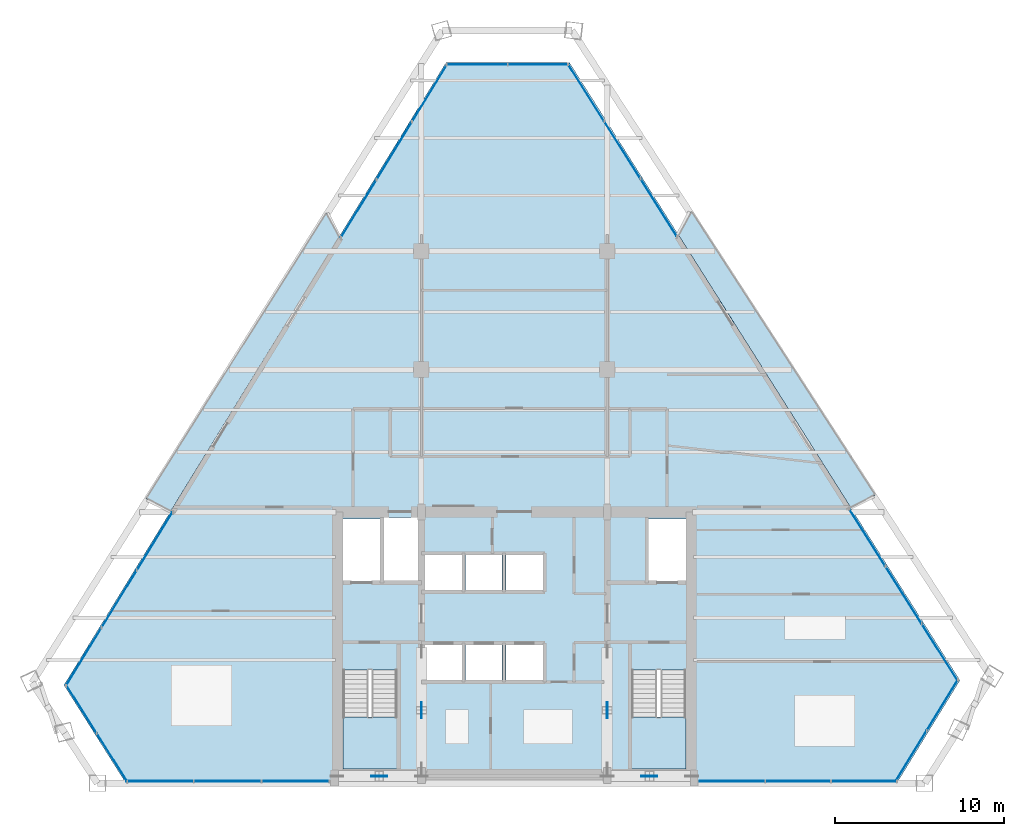
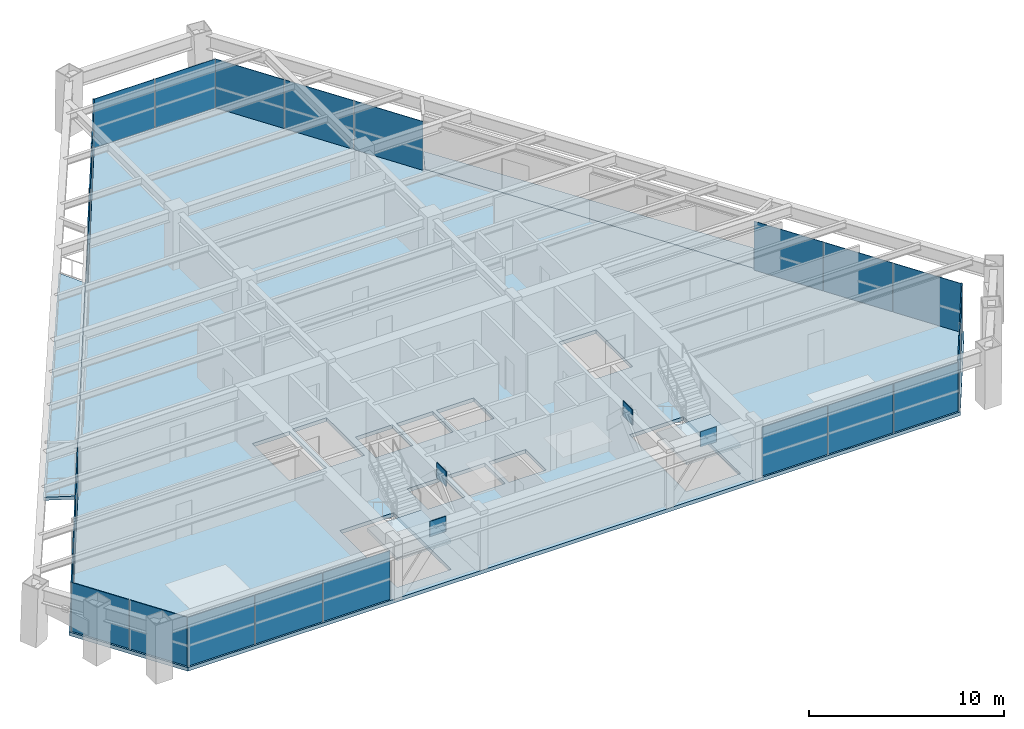
# One storey, part 10 of 15: 28 plates, 5 slabs, 11 elements without a shape of their own.
"""IFC4 building model written with IfcOpenShell, lengths in metres."""

from ifc_helpers import new_model, si_unit, direction, frame, origin, origin_2d, place, context, subcontext, project, spatial, polyline, rectangle, outline, extrude, source, transform, mapped, material, layer, layer_set, type_object, element, aggregate, save


model = new_model("IFC4")

# Units and contexts
model_context = context("Model", 3, precision=1e-05, world=origin(), true_north=direction((0.0, 1.0)))
body_context = subcontext(model_context, "Body", "Model", "MODEL_VIEW")
ifc_project = project(units=[si_unit("LENGTHUNIT", "METRE"), si_unit("AREAUNIT", "SQUARE_METRE"), si_unit("VOLUMEUNIT", "CUBIC_METRE"), si_unit("PLANEANGLEUNIT", "RADIAN"), si_unit("MASSUNIT", "GRAM", prefix="KILO")], contexts=[model_context])

# Site, building, storey
site_placement = place(None, origin())
site = spatial("IfcSite", under=ifc_project, at=site_placement, CompositionType="ELEMENT")
building_placement = place(site_placement, origin())
building = spatial("IfcBuilding", under=site, at=building_placement, Name="Varnakhor Terracotta Tower", CompositionType="ELEMENT")
storey_placement = place(building_placement, frame((0.0, 0.0, 196.89990234375)))
storey = spatial("IfcBuildingStorey", under=building, at=storey_placement, Name="L50", CompositionType="ELEMENT", Elevation=196.89990234375)

# Stair, slab
ifc_material_1 = material(Name="Concrete C40/50", Category="concrete")
stair_type = type_object("IfcStairType", Name="STR-CORE-OFFICE-1500", PredefinedType="HALF_TURN_STAIR", material=ifc_material_1)
stair_1_placement = place(storey_placement, origin())
stair_1 = element("IfcStair", 1, at=stair_1_placement, inside=storey, type_object=stair_type, Name="L50 Core Exit Stair ST-1", PredefinedType="HALF_TURN_STAIR")
ifc_layer_1 = layer(ifc_material_1, 0.179931640625, Name="Concrete C40/50")
ifc_layer_set_1 = layer_set([ifc_layer_1], Name="Concrete C40/50")
slab_type_1 = type_object("IfcSlabType", Name="SLB-LANDING-180", PredefinedType="LANDING", material=ifc_layer_set_1)
slab_1_placement = place(storey_placement, frame((0.0, 0.0, 1.650146484375)))
slab_1 = element("IfcSlab", 2, at=slab_1_placement, type_object=slab_type_1, Name="ST-1 landing 1", PredefinedType="LANDING", context=body_context, shape_type="SweptSolid", body=[
    extrude(outline(polyline([(-10.14990234375, 3.909912109375), (-10.14990234375, 0.85009765625), (-6.949951171875, 0.85009765625), (-6.949951171875, 3.909912109375), (-10.14990234375, 3.909912109375)])), origin(), (0.0, 0.0, 1.0), 0.199951171875),
])
aggregate(stair_1, [slab_1])

stair_2_placement = place(storey_placement, origin())
stair_2 = element("IfcStair", 3, at=stair_2_placement, inside=storey, type_object=stair_type, Name="L50 Core Exit Stair ST-2", PredefinedType="HALF_TURN_STAIR")
slab_2_placement = place(storey_placement, frame((0.0, 0.0, 1.650146484375)))
slab_2 = element("IfcSlab", 4, at=slab_2_placement, type_object=slab_type_1, Name="ST-2 landing 1", PredefinedType="LANDING", context=body_context, shape_type="SweptSolid", body=[
    extrude(outline(polyline([(6.949951171875, 3.909912109375), (6.949951171875, 0.85009765625), (10.14990234375, 0.85009765625), (10.14990234375, 3.909912109375), (6.949951171875, 3.909912109375)])), origin(), (0.0, 0.0, 1.0), 0.199951171875),
])
aggregate(stair_2, [slab_2])

# Slabs
ifc_layer_2 = layer(ifc_material_1, 0.195068359375, Name="Concrete C40/50")
ifc_layer_set_2 = layer_set([ifc_layer_2], Name="Concrete C40/50")
slab_type_2 = type_object("IfcSlabType", Name="SLB-LOGGIA-EXT-195", PredefinedType="FLOOR", material=ifc_layer_set_2)
slab_3_placement = place(storey_placement, frame((0.0, 0.0, -0.19482421875)))
element("IfcSlab", 5, at=slab_3_placement, inside=storey, type_object=slab_type_2, Name="L50 E Recessed Outdoor Loggia Slab", PredefinedType="FLOOR", context=body_context, shape_type="SweptSolid", body=[
    extrude(outline(polyline([(10.468994140625, 33.868896484375), (21.37109375, 17.059814453125), (19.91162109375, 16.336181640625), (9.738525390625, 32.4326171875), (10.468994140625, 33.868896484375)])), origin(), (0.0, 0.0, 1.0), 0.19482421875),
])
slab_4_placement = place(storey_placement, frame((0.0, 0.0, -0.19482421875)))
element("IfcSlab", 6, at=slab_4_placement, inside=storey, type_object=slab_type_2, Name="L50 W Recessed Outdoor Loggia Slab", PredefinedType="FLOOR", context=body_context, shape_type="SweptSolid", body=[
    extrude(outline(polyline([(-21.805419921875, 16.84716796875), (-11.11669921875, 33.7861328125), (-10.3828125, 32.353515625), (-20.33642578125, 16.132568359375), (-21.805419921875, 16.84716796875)])), origin(), (0.0, 0.0, 1.0), 0.19482421875),
])
ifc_layer_3 = layer(ifc_material_1, 0.22998046875, Name="Concrete C40/50")
ifc_layer_set_3 = layer_set([ifc_layer_3], Name="Concrete C40/50")
slab_type_3 = type_object("IfcSlabType", Name="SLB-OFF-230", PredefinedType="FLOOR", material=ifc_layer_set_3)
slab_5_placement = place(storey_placement, frame((0.0, 0.0, -0.22998046875)))
element("IfcSlab", 7, at=slab_5_placement, inside=storey, type_object=slab_type_3, Name="L50 Structural Floor Slab", PredefinedType="FLOOR", context=body_context, shape_type="SweptSolid", body=[
    extrude(outline(polyline([(-26.670654296875, 5.810302734375), (-4.048583984375, 42.67578125), (3.264892578125, 42.67578125), (26.38525390625, 6.093017578125), (22.646240234375, 0.0), (-22.99853515625, 0.0), (-26.670654296875, 5.810302734375)]), holes=[polyline([(-6.949951171875, 0.85009765625), (-6.949951171875, 6.695068359375), (-10.14990234375, 6.695068359375), (-10.14990234375, 0.85009765625), (-6.949951171875, 0.85009765625)]), polyline([(-3.10009765625, 6.10009765625), (-3.10009765625, 8.199951171875), (-5.300048828125, 8.199951171875), (-5.300048828125, 6.10009765625), (-3.10009765625, 6.10009765625)]), polyline([(-0.719970703125, 6.10009765625), (-0.719970703125, 8.199951171875), (-2.8798828125, 8.199951171875), (-2.8798828125, 6.10009765625), (-0.719970703125, 6.10009765625)]), polyline([(-5.300048828125, 11.419921875), (-3.10009765625, 11.419921875), (-3.10009765625, 13.52001953125), (-5.300048828125, 13.52001953125), (-5.300048828125, 11.419921875)]), polyline([(-10.14990234375, 11.8798828125), (-7.949951171875, 11.8798828125), (-7.949951171875, 15.64990234375), (-10.14990234375, 15.64990234375), (-10.14990234375, 11.8798828125)]), polyline([(-5.699951171875, 11.8798828125), (-5.699951171875, 15.75), (-7.72998046875, 15.75), (-7.72998046875, 11.8798828125), (-5.699951171875, 11.8798828125)]), polyline([(6.949951171875, 0.85009765625), (10.14990234375, 0.85009765625), (10.14990234375, 6.695068359375), (6.949951171875, 6.695068359375), (6.949951171875, 0.85009765625)]), polyline([(-0.5, 6.10009765625), (1.699951171875, 6.10009765625), (1.699951171875, 8.199951171875), (-0.5, 8.199951171875), (-0.5, 6.10009765625)]), polyline([(-0.719970703125, 11.419921875), (-0.719970703125, 13.52001953125), (-2.8798828125, 13.52001953125), (-2.8798828125, 11.419921875), (-0.719970703125, 11.419921875)]), polyline([(-0.5, 11.419921875), (1.699951171875, 11.419921875), (1.699951171875, 13.52001953125), (-0.5, 13.52001953125), (-0.5, 11.419921875)]), polyline([(7.949951171875, 11.8798828125), (10.14990234375, 11.8798828125), (10.14990234375, 15.64990234375), (7.949951171875, 15.64990234375), (7.949951171875, 11.8798828125)])]), origin(), (0.0, 0.0, 1.0), 0.22998046875),
])

# Plates
ifc_material_2 = material(Name="Steel S460", Category="steel")
ifc_layer_4 = layer(ifc_material_2, 0.050048828125, Name="Steel S460")
ifc_layer_set_4 = layer_set([ifc_layer_4], Name="Steel S460")
plate_type_1 = type_object("IfcPlateType", Name="PLT-GUSSET-50", PredefinedType="USERDEFINED", material=ifc_layer_set_4)
shared_shape_1 = source(origin(), body_context, "Body", "SweptSolid", [
    extrude(rectangle(XDim=0.949951171875, YDim=0.044921875, at=origin_2d()), origin(), (0.0, 0.0, 1.0), 0.949951171875),
])
for number, where, z_axis, x_axis, name in (
    (8, (-8.0, 0.419921875, 2.84521484375), (0.0, 0.0, 1.0), (1.0, 0.0, 0.0), "L50 Core Brace Apex Gusset CSW"),
    (9, (8.0, 0.419921875, 2.84521484375), (0.0, 0.0, 1.0), (1.0, 0.0, 0.0), "L50 Core Brace Apex Gusset CSE"),
    (10, (-5.5, 4.324951171875, 2.84521484375), (0.0, 0.0, 1.0), (0.0, 1.0, 0.0), "L50 Core Brace Apex Gusset CWW"),
    (11, (5.5, 4.324951171875, 2.84521484375), (0.0, 0.0, 1.0), (0.0, 1.0, 0.0), "L50 Core Brace Apex Gusset CWE"),
):
    element("IfcPlate", number, at=place(storey_placement, frame(where, z_axis=z_axis, x_axis=x_axis)), inside=storey, type_object=plate_type_1, Name=name, ObjectType="GUSSET PLATE", PredefinedType="USERDEFINED", context=body_context, shape_type="MappedRepresentation", body=[
        mapped(shared_shape_1, transform((0.0, 0.0, 0.0), scale=1.0)),
    ])

# Curtain wall, plates
ifc_material_3 = material(Name="Anodised Aluminium Curtain Wall System", Category="aluminium")
curtain_wall_type = type_object("IfcCurtainWallType", Name="CW-SYS-MID-OFFICE", PredefinedType="NOTDEFINED", material=ifc_material_3)
curtain_wall_1_placement = place(storey_placement, origin())
curtain_wall_1 = element("IfcCurtainWall", 12, at=curtain_wall_1_placement, inside=storey, type_object=curtain_wall_type, Name="L50 W Facet Curtain Wall 1", PredefinedType="NOTDEFINED")
ifc_material_4 = material(Name="Solar-Control Low-E Insulated Glass Panel", Category="glass")
ifc_layer_5 = layer(ifc_material_4, 0.035888671875, Name="Solar-Control Low-E Insulated Glass Panel")
ifc_layer_set_5 = layer_set([ifc_layer_5], Name="Solar-Control Low-E Insulated Glass Panel")
plate_type_2 = type_object("IfcPlateType", Name="CWP-03", PredefinedType="CURTAIN_PANEL", material=ifc_layer_set_5)
shared_shape_2 = source(origin(), body_context, "Body", "SweptSolid", [
    extrude(rectangle(XDim=3.976806640625, YDim=0.035888671875, at=origin_2d()), origin(), (0.0, 0.0, 1.0), 3.050048828125),
])
plate_1_placement = place(storey_placement, frame((-25.502197265625, 7.48486328125, 0.0), z_axis=(0.0, 0.0, 1.0), x_axis=(0.523019315434, 0.85232082908, 0.0)))
plate_1 = element("IfcPlate", 13, at=plate_1_placement, type_object=plate_type_2, Name="L50 W Facet Curtain Wall 1 Glazed Panel 1", PredefinedType="CURTAIN_PANEL", context=body_context, shape_type="MappedRepresentation", body=[
    mapped(shared_shape_2, transform((0.0, 0.0, 0.0), scale=1.0)),
])
plate_2_placement = place(storey_placement, frame((-21.30029296875, 14.332275390625, 0.0), z_axis=(0.0, 0.0, 1.0), x_axis=(0.523019315434, 0.85232082908, 0.0)))
plate_2 = element("IfcPlate", 14, at=plate_2_placement, type_object=plate_type_2, Name="L50 W Facet Curtain Wall 1 Glazed Panel 3", PredefinedType="CURTAIN_PANEL", context=body_context, shape_type="MappedRepresentation", body=[
    mapped(shared_shape_2, transform((0.0, 0.0, 0.0), scale=1.0)),
])

# Curtain wall, plate
curtain_wall_2_placement = place(storey_placement, origin())
curtain_wall_2 = element("IfcCurtainWall", 15, at=curtain_wall_2_placement, inside=storey, type_object=curtain_wall_type, Name="L50 W Facet Curtain Wall 2", PredefinedType="NOTDEFINED")
plate_3_placement = place(storey_placement, frame((-9.21435546875, 34.028076171875, 0.0), z_axis=(0.0, 0.0, 1.0), x_axis=(0.523019315434, 0.85232082908, 0.0)))
plate_3 = element("IfcPlate", 16, at=plate_3_placement, type_object=plate_type_2, Name="L50 W Facet Curtain Wall 2 Glazed Panel 1", PredefinedType="CURTAIN_PANEL", context=body_context, shape_type="MappedRepresentation", body=[
    mapped(shared_shape_2, transform((0.0, 0.0, 0.0), scale=1.0)),
])

# Plate
shared_shape_3 = source(origin(), body_context, "Body", "SweptSolid", [
    extrude(rectangle(XDim=3.97705078125, YDim=0.035888671875, at=origin_2d()), origin(), (0.0, 0.0, 1.0), 3.050048828125),
])
plate_4_placement = place(storey_placement, frame((-23.4013671875, 10.90869140625, 0.0), z_axis=(0.0, 0.0, 1.0), x_axis=(0.523019315434, 0.85232082908, 0.0)))
plate_4 = element("IfcPlate", 17, at=plate_4_placement, type_object=plate_type_2, Name="L50 W Facet Curtain Wall 1 Glazed Panel 2", PredefinedType="CURTAIN_PANEL", context=body_context, shape_type="MappedRepresentation", body=[
    mapped(shared_shape_3, transform((0.0, 0.0, 0.0), scale=1.0)),
])

aggregate(curtain_wall_1, [plate_1, plate_4, plate_2])

plate_5_placement = place(storey_placement, frame((-7.113525390625, 37.451904296875, 0.0), z_axis=(0.0, 0.0, 1.0), x_axis=(0.523019315434, 0.85232082908, 0.0)))
plate_5 = element("IfcPlate", 18, at=plate_5_placement, type_object=plate_type_2, Name="L50 W Facet Curtain Wall 2 Glazed Panel 2", PredefinedType="CURTAIN_PANEL", context=body_context, shape_type="MappedRepresentation", body=[
    mapped(shared_shape_3, transform((0.0, 0.0, 0.0), scale=1.0)),
])

plate_6_placement = place(storey_placement, frame((-5.0126953125, 40.87548828125, 0.0), z_axis=(0.0, 0.0, 1.0), x_axis=(0.523019315434, 0.85232082908, 0.0)))
plate_6 = element("IfcPlate", 19, at=plate_6_placement, type_object=plate_type_2, Name="L50 W Facet Curtain Wall 2 Glazed Panel 3", PredefinedType="CURTAIN_PANEL", context=body_context, shape_type="MappedRepresentation", body=[
    mapped(shared_shape_3, transform((0.0, 0.0, 0.0), scale=1.0)),
])

aggregate(curtain_wall_2, [plate_3, plate_5, plate_6])

# Curtain wall, plates
curtain_wall_3_placement = place(storey_placement, origin())
curtain_wall_3 = element("IfcCurtainWall", 20, at=curtain_wall_3_placement, inside=storey, type_object=curtain_wall_type, Name="L50 Facet Curtain Wall 2", PredefinedType="NOTDEFINED")
shared_shape_4 = source(origin(), body_context, "Body", "SweptSolid", [
    extrude(rectangle(XDim=3.5869140625, YDim=0.035888671875, at=origin_2d()), origin(), (0.0, 0.0, 1.0), 3.050048828125),
])
plate_7_placement = place(storey_placement, frame((-2.205322265625, 42.5556640625, 0.0), z_axis=(0.0, 0.0, 1.0), x_axis=(1.0, 0.0, 0.0)))
plate_7 = element("IfcPlate", 21, at=plate_7_placement, type_object=plate_type_2, Name="L50 Facet Curtain Wall 2 Glazed Panel 1", PredefinedType="CURTAIN_PANEL", context=body_context, shape_type="MappedRepresentation", body=[
    mapped(shared_shape_4, transform((0.0, 0.0, 0.0), scale=1.0)),
])
plate_8_placement = place(storey_placement, frame((1.42138671875, 42.5556640625, 0.0), z_axis=(0.0, 0.0, 1.0), x_axis=(1.0, 0.0, 0.0)))
plate_8 = element("IfcPlate", 22, at=plate_8_placement, type_object=plate_type_2, Name="L50 Facet Curtain Wall 2 Glazed Panel 2", PredefinedType="CURTAIN_PANEL", context=body_context, shape_type="MappedRepresentation", body=[
    mapped(shared_shape_4, transform((0.0, 0.0, 0.0), scale=1.0)),
])
aggregate(curtain_wall_3, [plate_7, plate_8])

curtain_wall_4_placement = place(storey_placement, origin())
curtain_wall_4 = element("IfcCurtainWall", 23, at=curtain_wall_4_placement, inside=storey, type_object=curtain_wall_type, Name="L50 E Facet Curtain Wall 1", PredefinedType="NOTDEFINED")
shared_shape_5 = source(origin(), body_context, "Body", "SweptSolid", [
    extrude(rectangle(XDim=3.97900390625, YDim=0.035888671875, at=origin_2d()), origin(), (0.0, 0.0, 1.0), 3.050048828125),
])
plate_9_placement = place(storey_placement, frame((4.253173828125, 40.887451171875, 0.0), z_axis=(0.0, 0.0, 1.0), x_axis=(0.534249077188, -0.845327110368, 0.0)))
plate_9 = element("IfcPlate", 24, at=plate_9_placement, type_object=plate_type_2, Name="L50 E Facet Curtain Wall 1 Glazed Panel 1", PredefinedType="CURTAIN_PANEL", context=body_context, shape_type="MappedRepresentation", body=[
    mapped(shared_shape_5, transform((0.0, 0.0, 0.0), scale=1.0)),
])
plate_10_placement = place(storey_placement, frame((6.400390625, 37.489990234375, 0.0), z_axis=(0.0, 0.0, 1.0), x_axis=(0.534249077188, -0.845327110368, 0.0)))
plate_10 = element("IfcPlate", 25, at=plate_10_placement, type_object=plate_type_2, Name="L50 E Facet Curtain Wall 1 Glazed Panel 2", PredefinedType="CURTAIN_PANEL", context=body_context, shape_type="MappedRepresentation", body=[
    mapped(shared_shape_5, transform((0.0, 0.0, 0.0), scale=1.0)),
])
plate_11_placement = place(storey_placement, frame((8.547607421875, 34.092529296875, 0.0), z_axis=(0.0, 0.0, 1.0), x_axis=(0.534249077188, -0.845327110368, 0.0)))
plate_11 = element("IfcPlate", 26, at=plate_11_placement, type_object=plate_type_2, Name="L50 E Facet Curtain Wall 1 Glazed Panel 3", PredefinedType="CURTAIN_PANEL", context=body_context, shape_type="MappedRepresentation", body=[
    mapped(shared_shape_5, transform((0.0, 0.0, 0.0), scale=1.0)),
])
aggregate(curtain_wall_4, [plate_9, plate_10, plate_11])

curtain_wall_5_placement = place(storey_placement, origin())
curtain_wall_5 = element("IfcCurtainWall", 27, at=curtain_wall_5_placement, inside=storey, type_object=curtain_wall_type, Name="L50 E Facet Curtain Wall 2", PredefinedType="NOTDEFINED")
plate_12_placement = place(storey_placement, frame((20.899658203125, 14.548095703125, 0.0), z_axis=(0.0, 0.0, 1.0), x_axis=(0.534249077188, -0.845327110368, 0.0)))
plate_12 = element("IfcPlate", 28, at=plate_12_placement, type_object=plate_type_2, Name="L50 E Facet Curtain Wall 2 Glazed Panel 1", PredefinedType="CURTAIN_PANEL", context=body_context, shape_type="MappedRepresentation", body=[
    mapped(shared_shape_5, transform((0.0, 0.0, 0.0), scale=1.0)),
])
plate_13_placement = place(storey_placement, frame((23.046875, 11.150390625, 0.0), z_axis=(0.0, 0.0, 1.0), x_axis=(0.534249077188, -0.845327110368, 0.0)))
plate_13 = element("IfcPlate", 29, at=plate_13_placement, type_object=plate_type_2, Name="L50 E Facet Curtain Wall 2 Glazed Panel 2", PredefinedType="CURTAIN_PANEL", context=body_context, shape_type="MappedRepresentation", body=[
    mapped(shared_shape_5, transform((0.0, 0.0, 0.0), scale=1.0)),
])
plate_14_placement = place(storey_placement, frame((25.194091796875, 7.7529296875, 0.0), z_axis=(0.0, 0.0, 1.0), x_axis=(0.534249077188, -0.845327110368, 0.0)))
plate_14 = element("IfcPlate", 30, at=plate_14_placement, type_object=plate_type_2, Name="L50 E Facet Curtain Wall 2 Glazed Panel 3", PredefinedType="CURTAIN_PANEL", context=body_context, shape_type="MappedRepresentation", body=[
    mapped(shared_shape_5, transform((0.0, 0.0, 0.0), scale=1.0)),
])
aggregate(curtain_wall_5, [plate_12, plate_13, plate_14])

curtain_wall_6_placement = place(storey_placement, origin())
curtain_wall_6 = element("IfcCurtainWall", 31, at=curtain_wall_6_placement, inside=storey, type_object=curtain_wall_type, Name="L50 Facet Curtain Wall 4", PredefinedType="NOTDEFINED")
shared_shape_6 = source(origin(), body_context, "Body", "SweptSolid", [
    extrude(rectangle(XDim=3.50439453125, YDim=0.035888671875, at=origin_2d()), origin(), (0.0, 0.0, 1.0), 3.050048828125),
])
plate_15_placement = place(storey_placement, frame((25.34033203125, 4.619873046875, 0.0), z_axis=(0.0, 0.0, 1.0), x_axis=(-0.523019315434, -0.85232082908, 0.0)))
plate_15 = element("IfcPlate", 32, at=plate_15_placement, type_object=plate_type_2, Name="L50 Facet Curtain Wall 4 Glazed Panel 1", PredefinedType="CURTAIN_PANEL", context=body_context, shape_type="MappedRepresentation", body=[
    mapped(shared_shape_6, transform((0.0, 0.0, 0.0), scale=1.0)),
])
plate_16_placement = place(storey_placement, frame((23.486572265625, 1.598876953125, 0.0), z_axis=(0.0, 0.0, 1.0), x_axis=(-0.523019315434, -0.85232082908, 0.0)))
plate_16 = element("IfcPlate", 33, at=plate_16_placement, type_object=plate_type_2, Name="L50 Facet Curtain Wall 4 Glazed Panel 2", PredefinedType="CURTAIN_PANEL", context=body_context, shape_type="MappedRepresentation", body=[
    mapped(shared_shape_6, transform((0.0, 0.0, 0.0), scale=1.0)),
])
aggregate(curtain_wall_6, [plate_15, plate_16])

curtain_wall_7_placement = place(storey_placement, origin())
curtain_wall_7 = element("IfcCurtainWall", 34, at=curtain_wall_7_placement, inside=storey, type_object=curtain_wall_type, Name="L50 South Wing Curtain Wall SSE", PredefinedType="NOTDEFINED")
shared_shape_7 = source(origin(), body_context, "Body", "SweptSolid", [
    extrude(rectangle(XDim=3.8486328125, YDim=0.035888671875, at=origin_2d()), origin(), (0.0, 0.0, 1.0), 3.050048828125),
])
plate_17_placement = place(storey_placement, frame((20.69189453125, 0.1201171875, 0.0), z_axis=(0.0, 0.0, 1.0), x_axis=(-1.0, 0.0, 0.0)))
plate_17 = element("IfcPlate", 35, at=plate_17_placement, type_object=plate_type_2, Name="L50 South Wing Curtain Wall SSE Glazed Panel 1", PredefinedType="CURTAIN_PANEL", context=body_context, shape_type="MappedRepresentation", body=[
    mapped(shared_shape_7, transform((0.0, 0.0, 0.0), scale=1.0)),
])
plate_18_placement = place(storey_placement, frame((12.914306640625, 0.1201171875, 0.0), z_axis=(0.0, 0.0, 1.0), x_axis=(-1.0, 0.0, 0.0)))
plate_18 = element("IfcPlate", 36, at=plate_18_placement, type_object=plate_type_2, Name="L50 South Wing Curtain Wall SSE Glazed Panel 3", PredefinedType="CURTAIN_PANEL", context=body_context, shape_type="MappedRepresentation", body=[
    mapped(shared_shape_7, transform((0.0, 0.0, 0.0), scale=1.0)),
])
shared_shape_8 = source(origin(), body_context, "Body", "SweptSolid", [
    extrude(rectangle(XDim=3.848876953125, YDim=0.035888671875, at=origin_2d()), origin(), (0.0, 0.0, 1.0), 3.050048828125),
])
plate_19_placement = place(storey_placement, frame((16.802978515625, 0.1201171875, 0.0), z_axis=(0.0, 0.0, 1.0), x_axis=(-1.0, 0.0, 0.0)))
plate_19 = element("IfcPlate", 37, at=plate_19_placement, type_object=plate_type_2, Name="L50 South Wing Curtain Wall SSE Glazed Panel 2", PredefinedType="CURTAIN_PANEL", context=body_context, shape_type="MappedRepresentation", body=[
    mapped(shared_shape_8, transform((0.0, 0.0, 0.0), scale=1.0)),
])
aggregate(curtain_wall_7, [plate_17, plate_19, plate_18])

curtain_wall_8_placement = place(storey_placement, origin())
curtain_wall_8 = element("IfcCurtainWall", 38, at=curtain_wall_8_placement, inside=storey, type_object=curtain_wall_type, Name="L50 South Wing Curtain Wall SSW", PredefinedType="NOTDEFINED")
shared_shape_9 = source(origin(), body_context, "Body", "SweptSolid", [
    extrude(rectangle(XDim=3.96630859375, YDim=0.035888671875, at=origin_2d()), origin(), (0.0, 0.0, 1.0), 3.050048828125),
])
plate_20_placement = place(storey_placement, frame((-12.97314453125, 0.1201171875, 0.0), z_axis=(0.0, 0.0, 1.0), x_axis=(-1.0, 0.0, 0.0)))
plate_20 = element("IfcPlate", 39, at=plate_20_placement, type_object=plate_type_2, Name="L50 South Wing Curtain Wall SSW Glazed Panel 1", PredefinedType="CURTAIN_PANEL", context=body_context, shape_type="MappedRepresentation", body=[
    mapped(shared_shape_9, transform((0.0, 0.0, 0.0), scale=1.0)),
])
plate_21_placement = place(storey_placement, frame((-16.979248046875, 0.1201171875, 0.0), z_axis=(0.0, 0.0, 1.0), x_axis=(-1.0, 0.0, 0.0)))
plate_21 = element("IfcPlate", 40, at=plate_21_placement, type_object=plate_type_2, Name="L50 South Wing Curtain Wall SSW Glazed Panel 2", PredefinedType="CURTAIN_PANEL", context=body_context, shape_type="MappedRepresentation", body=[
    mapped(shared_shape_9, transform((0.0, 0.0, 0.0), scale=1.0)),
])
plate_22_placement = place(storey_placement, frame((-20.985595703125, 0.1201171875, 0.0), z_axis=(0.0, 0.0, 1.0), x_axis=(-1.0, 0.0, 0.0)))
plate_22 = element("IfcPlate", 41, at=plate_22_placement, type_object=plate_type_2, Name="L50 South Wing Curtain Wall SSW Glazed Panel 3", PredefinedType="CURTAIN_PANEL", context=body_context, shape_type="MappedRepresentation", body=[
    mapped(shared_shape_9, transform((0.0, 0.0, 0.0), scale=1.0)),
])
aggregate(curtain_wall_8, [plate_20, plate_21, plate_22])

curtain_wall_9_placement = place(storey_placement, origin())
curtain_wall_9 = element("IfcCurtainWall", 42, at=curtain_wall_9_placement, inside=storey, type_object=curtain_wall_type, Name="L50 Facet Curtain Wall 6", PredefinedType="NOTDEFINED")
shared_shape_10 = source(origin(), body_context, "Body", "SweptSolid", [
    extrude(rectangle(XDim=3.36669921875, YDim=0.035888671875, at=origin_2d()), origin(), (0.0, 0.0, 1.0), 3.050048828125),
])
plate_23_placement = place(storey_placement, frame((-23.8232421875, 1.529296875, 0.0), z_axis=(0.0, 0.0, 1.0), x_axis=(-0.534249077188, 0.845327110368, 0.0)))
plate_23 = element("IfcPlate", 43, at=plate_23_placement, type_object=plate_type_2, Name="L50 Facet Curtain Wall 6 Glazed Panel 1", PredefinedType="CURTAIN_PANEL", context=body_context, shape_type="MappedRepresentation", body=[
    mapped(shared_shape_10, transform((0.0, 0.0, 0.0), scale=1.0)),
])
plate_24_placement = place(storey_placement, frame((-25.643310546875, 4.4091796875, 0.0), z_axis=(0.0, 0.0, 1.0), x_axis=(-0.534249077188, 0.845327110368, 0.0)))
plate_24 = element("IfcPlate", 44, at=plate_24_placement, type_object=plate_type_2, Name="L50 Facet Curtain Wall 6 Glazed Panel 2", PredefinedType="CURTAIN_PANEL", context=body_context, shape_type="MappedRepresentation", body=[
    mapped(shared_shape_10, transform((0.0, 0.0, 0.0), scale=1.0)),
])
aggregate(curtain_wall_9, [plate_23, plate_24])

save(model, "model.ifc")
